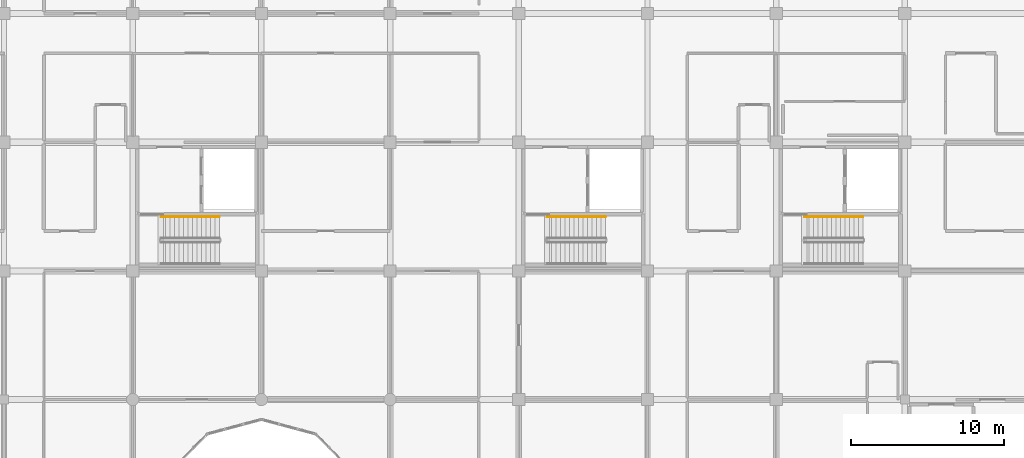
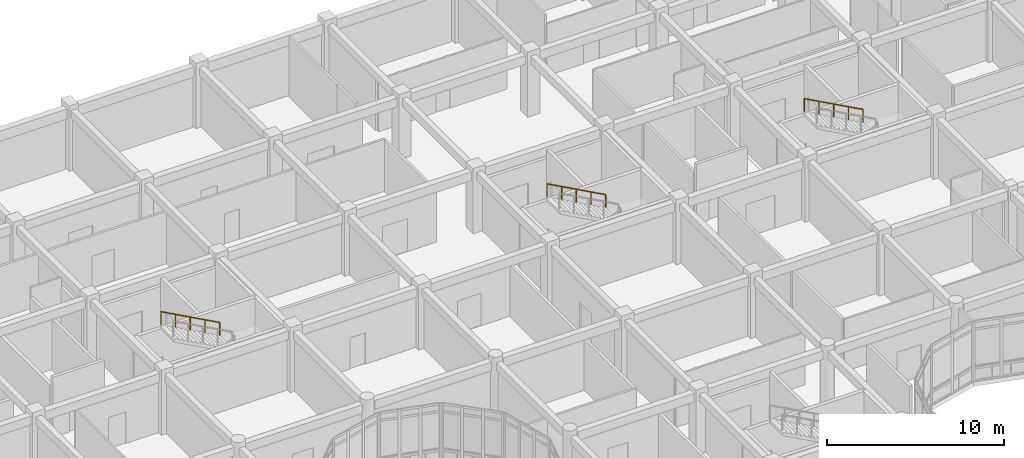
# One storey, part 138 of 144: 3 railings.
"""IFC4 building model written with IfcOpenShell, lengths in metres."""

from ifc_helpers import new_model, si_unit, direction, frame, origin, origin_2d, place, context, subcontext, project, spatial, circle, extrude, material, type_object, element, save


model = new_model("IFC4")

# Units and contexts
model_context = context("Model", 3, precision=1e-05, world=origin(), true_north=direction((0.0, 1.0)))
body_context = subcontext(model_context, "Body", "Model", "MODEL_VIEW")
ifc_project = project(units=[si_unit("LENGTHUNIT", "METRE"), si_unit("AREAUNIT", "SQUARE_METRE"), si_unit("VOLUMEUNIT", "CUBIC_METRE"), si_unit("PLANEANGLEUNIT", "RADIAN"), si_unit("MASSUNIT", "GRAM", prefix="KILO")], contexts=[model_context])

# Site, building, storey
site_placement = place(None, origin())
site = spatial("IfcSite", under=ifc_project, at=site_placement, CompositionType="ELEMENT")
building_placement = place(site_placement, origin())
building = spatial("IfcBuilding", under=site, at=building_placement, Name="Bramfleet General Hospital", CompositionType="ELEMENT")
storey_placement = place(building_placement, frame((0.0, 0.0, 4.800048828125)))
storey = spatial("IfcBuildingStorey", under=building, at=storey_placement, Name="L01", CompositionType="ELEMENT", Elevation=4.800048828125)

# Railings
ifc_material = material(Name="Stainless steel 1.4301 stair handrail", Category="steel")
railing_type = type_object("IfcRailingType", Name="RAIL-ST-HND", PredefinedType="HANDRAIL", material=ifc_material)
railing_placement = place(storey_placement, frame((106.47509765625, 95.929931640625, 2.41064453125)))
element("IfcRailing", 1, at=railing_placement, inside=storey, type_object=railing_type, Name="L01 ST-C4 stair handrail 2", PredefinedType="HANDRAIL", context=body_context, shape_type="SweptSolid", body=[
    extrude(circle(Radius=0.02392578125, at=origin_2d()), frame((0.0, 0.0, 0.8759765625), z_axis=(-0.878143269688, 0.0, 0.478397740276), x_axis=(0.0, -1.0, 0.0)), (0.0, 0.0, 1.0), 4.367431640625),
    extrude(circle(Radius=0.02099609375, at=origin_2d()), origin(), (0.0, 0.0, 1.0), 0.851806640625),
    extrude(circle(Radius=0.02099609375, at=origin_2d()), frame((-0.958740234375, 0.0, 0.5224609375)), (0.0, 0.0, 1.0), 0.851806640625),
    extrude(circle(Radius=0.02099609375, at=origin_2d()), frame((-1.91748046875, 0.0, 1.044677734375)), (0.0, 0.0, 1.0), 0.851806640625),
    extrude(circle(Radius=0.02099609375, at=origin_2d()), frame((-2.87646484375, 0.0, 1.56689453125)), (0.0, 0.0, 1.0), 0.851806640625),
    extrude(circle(Radius=0.02099609375, at=origin_2d()), frame((-3.835205078125, 0.0, 2.08935546875)), (0.0, 0.0, 1.0), 0.851806640625),
])
for number, where, name in (
    (2, (81.27490234375, 95.929931640625, 2.41064453125), "L01 ST-C5 stair handrail 2"),
    (3, (123.27490234375, 95.929931640625, 2.41064453125), "L01 ST-C6 stair handrail 2"),
):
    element("IfcRailing", number, at=place(storey_placement, frame(where)), inside=storey, type_object=railing_type, Name=name, PredefinedType="HANDRAIL", context=body_context, shape_type="SweptSolid", body=[
        extrude(circle(Radius=0.02392578125, at=origin_2d()), frame((0.0, 0.0, 0.8759765625), z_axis=(-0.878130475078, 0.0, 0.478421225218), x_axis=(0.0, -1.0, 0.0)), (0.0, 0.0, 1.0), 4.3671875),
        extrude(circle(Radius=0.02099609375, at=origin_2d()), origin(), (0.0, 0.0, 1.0), 0.851806640625),
        extrude(circle(Radius=0.02099609375, at=origin_2d()), frame((-0.958740234375, 0.0, 0.5224609375)), (0.0, 0.0, 1.0), 0.851806640625),
        extrude(circle(Radius=0.02099609375, at=origin_2d()), frame((-1.91748046875, 0.0, 1.044677734375)), (0.0, 0.0, 1.0), 0.851806640625),
        extrude(circle(Radius=0.02099609375, at=origin_2d()), frame((-2.876220703125, 0.0, 1.56689453125)), (0.0, 0.0, 1.0), 0.851806640625),
        extrude(circle(Radius=0.02099609375, at=origin_2d()), frame((-3.8349609375, 0.0, 2.08935546875)), (0.0, 0.0, 1.0), 0.851806640625),
    ])

save(model, "model.ifc")
